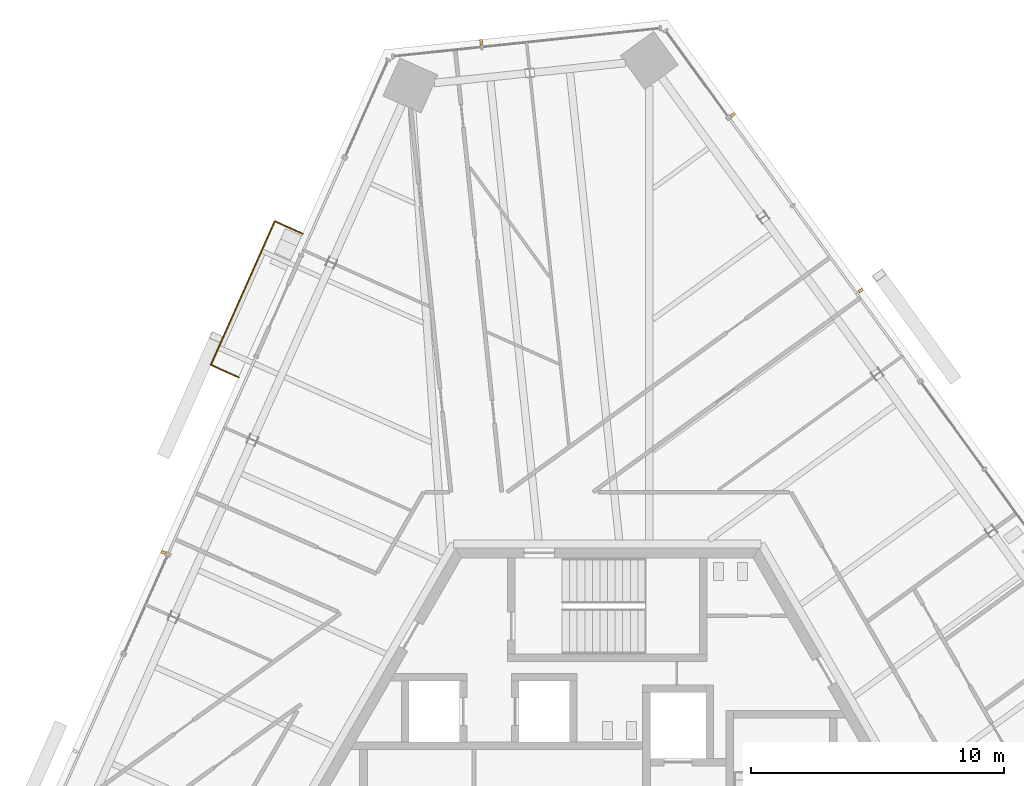
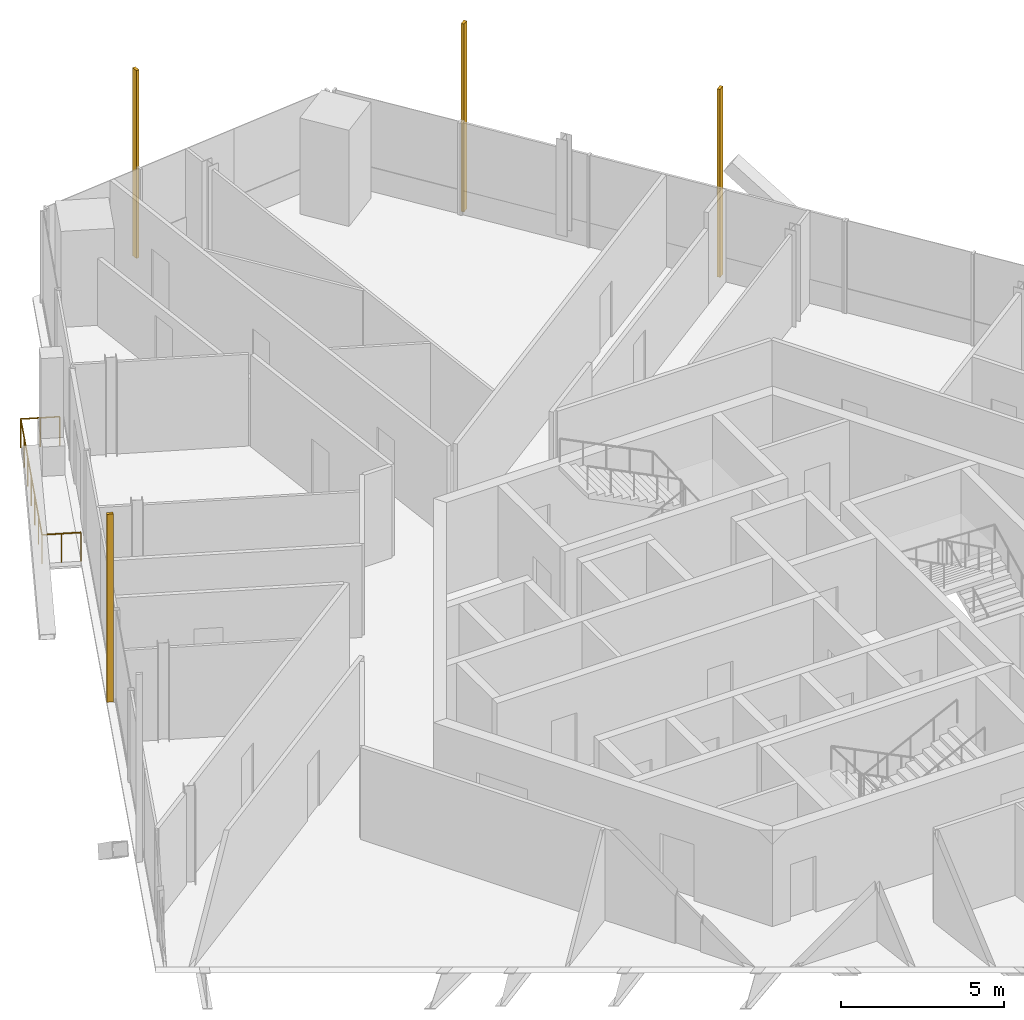
# One storey, part 18 of 21: 4 shading devices, 1 railing.
"""IFC4 building model written with IfcOpenShell, lengths in metres."""

from ifc_helpers import new_model, si_unit, direction, frame, origin, origin_2d, place, context, subcontext, project, spatial, rectangle, circle, extrude, source, transform, mapped, material, type_object, element, save


model = new_model("IFC4")

# Units and contexts
model_context = context("Model", 3, precision=1e-05, world=origin(), true_north=direction((0.0, 1.0)))
body_context = subcontext(model_context, "Body", "Model", "MODEL_VIEW")
ifc_project = project(units=[si_unit("LENGTHUNIT", "METRE"), si_unit("AREAUNIT", "SQUARE_METRE"), si_unit("VOLUMEUNIT", "CUBIC_METRE"), si_unit("PLANEANGLEUNIT", "RADIAN"), si_unit("MASSUNIT", "GRAM", prefix="KILO")], contexts=[model_context])

# Site, building, storey
site_placement = place(None, origin())
site = spatial("IfcSite", under=ifc_project, at=site_placement, CompositionType="ELEMENT")
building_placement = place(site_placement, origin())
building = spatial("IfcBuilding", under=site, at=building_placement, Name="Triune Harvest Tower", CompositionType="ELEMENT")
storey_placement = place(building_placement, frame((0.0, 0.0, 241.300048828125)))
storey = spatial("IfcBuildingStorey", under=building, at=storey_placement, Name="L63", CompositionType="ELEMENT", Elevation=241.300048828125)

# Railing
ifc_material_1 = material(Name="Glass", Category="glass")
railing_type = type_object("IfcRailingType", Name="GD-2 balcony guard 1100", PredefinedType="GUARDRAIL", material=ifc_material_1)
railing_placement = place(storey_placement, frame((-12.06103515625, 22.828369140625, 0.0)))
element("IfcRailing", 1, at=railing_placement, inside=storey, type_object=railing_type, Name="Balcony guard B6-F3 L63.3", PredefinedType="GUARDRAIL", context=body_context, shape_type="SweptSolid", body=[
    extrude(circle(Radius=0.02392578125, at=origin_2d()), frame((0.0, 0.0, 1.076171875), z_axis=(-0.913543520388, 0.406740994192, 0.0), x_axis=(-0.406740994192, -0.913543520388, 0.0)), (0.0, 0.0, 1.0), 1.202880859375),
    extrude(circle(Radius=0.02392578125, at=origin_2d()), frame((-1.098876953125, 0.4892578125, 1.076171875), z_axis=(-0.406760410734, -0.913534875229, 0.0), x_axis=(0.913534875229, -0.406760410734, 0.0)), (0.0, 0.0, 1.0), 6.22705078125),
    extrude(circle(Radius=0.02392578125, at=origin_2d()), frame((-3.6318359375, -5.199462890625, 1.076171875), z_axis=(0.913543520388, -0.406740994192, 0.0), x_axis=(0.406740994192, 0.913543520388, 0.0)), (0.0, 0.0, 1.0), 1.202880859375),
    extrude(circle(Radius=0.02099609375, at=origin_2d()), origin(), (0.0, 0.0, 1.0), 1.052001953125),
    extrude(circle(Radius=0.02099609375, at=origin_2d()), frame((-0.54931640625, 0.24462890625, 0.0)), (0.0, 0.0, 1.0), 1.052001953125),
    extrude(circle(Radius=0.02099609375, at=origin_2d()), frame((-1.098876953125, 0.4892578125, 0.0)), (0.0, 0.0, 1.0), 1.052001953125),
    extrude(circle(Radius=0.02099609375, at=origin_2d()), frame((-1.52099609375, -0.458984375, 0.0)), (0.0, 0.0, 1.0), 1.052001953125),
    extrude(circle(Radius=0.02099609375, at=origin_2d()), frame((-1.943115234375, -1.406982421875, 0.0)), (0.0, 0.0, 1.0), 1.052001953125),
    extrude(circle(Radius=0.02099609375, at=origin_2d()), frame((-2.365234375, -2.35498046875, 0.0)), (0.0, 0.0, 1.0), 1.052001953125),
    extrude(circle(Radius=0.02099609375, at=origin_2d()), frame((-2.78759765625, -3.30322265625, 0.0)), (0.0, 0.0, 1.0), 1.052001953125),
    extrude(circle(Radius=0.02099609375, at=origin_2d()), frame((-3.209716796875, -4.25146484375, 0.0)), (0.0, 0.0, 1.0), 1.052001953125),
    extrude(circle(Radius=0.02099609375, at=origin_2d()), frame((-3.6318359375, -5.199462890625, 0.0)), (0.0, 0.0, 1.0), 1.052001953125),
    extrude(circle(Radius=0.02099609375, at=origin_2d()), frame((-3.08251953125, -5.444091796875, 0.0)), (0.0, 0.0, 1.0), 1.052001953125),
    extrude(circle(Radius=0.02099609375, at=origin_2d()), frame((-2.532958984375, -5.688720703125, 0.0)), (0.0, 0.0, 1.0), 1.052001953125),
])

# Shading devices
ifc_material_2 = material(Name="Aluminium bronze anodised", Category="aluminium")
shared_shape = source(origin(), body_context, "Body", "SweptSolid", [
    extrude(rectangle(XDim=0.10009765625, YDim=0.199951171875, at=origin_2d()), origin(), (0.0, 0.0, 1.0), 7.0400390625),
])
for number, where, z_axis, x_axis, name in (
    (2, (10.0263671875, 20.572265625, 0.0), (0.0, 0.0, 1.0), (-0.587785672066, 0.809016689391, 0.0), "FN-1 fin B6-F1.9 L63"),
    (3, (4.97119140625, 27.52978515625, 0.0), (0.0, 0.0, 1.0), (-0.587785672066, 0.809016689391, 0.0), "FN-1 fin B6-F1.11 L63"),
    (4, (-4.993408203125, 30.40576171875, 0.0), (0.0, 0.0, 1.0), (-0.994521768229, -0.104529672907, 0.0), "FN-1 fin B6-F2.3 L63"),
    (5, (-17.56982421875, 10.209716796875, 0.0), (0.0, 0.0, 1.0), (-0.406737912248, -0.91354489257, 0.0), "FN-1 fin B6-F3.6 L63"),
):
    element("IfcShadingDevice", number, at=place(storey_placement, frame(where, z_axis=z_axis, x_axis=x_axis)), inside=storey, material=ifc_material_2, Name=name, ObjectType="FIN", PredefinedType="USERDEFINED", context=body_context, shape_type="MappedRepresentation", body=[
        mapped(shared_shape, transform((0.0, 0.0, 0.0), scale=1.0)),
    ])

save(model, "model.ifc")
